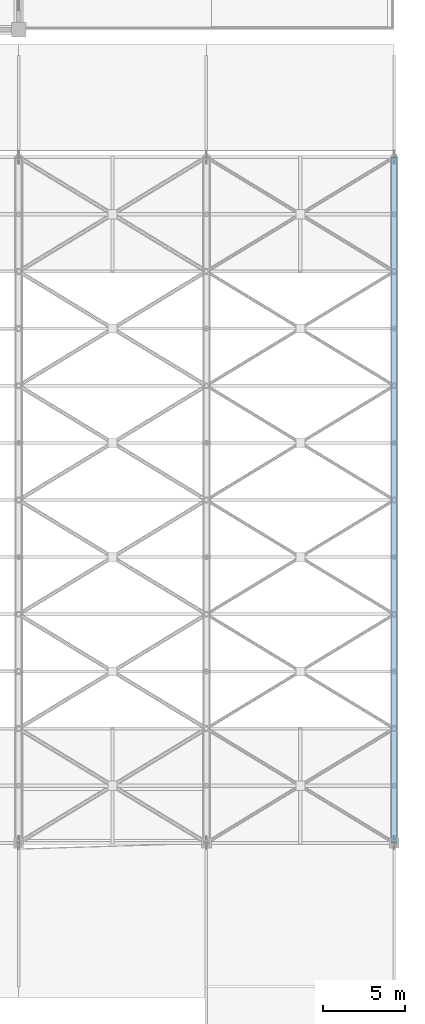
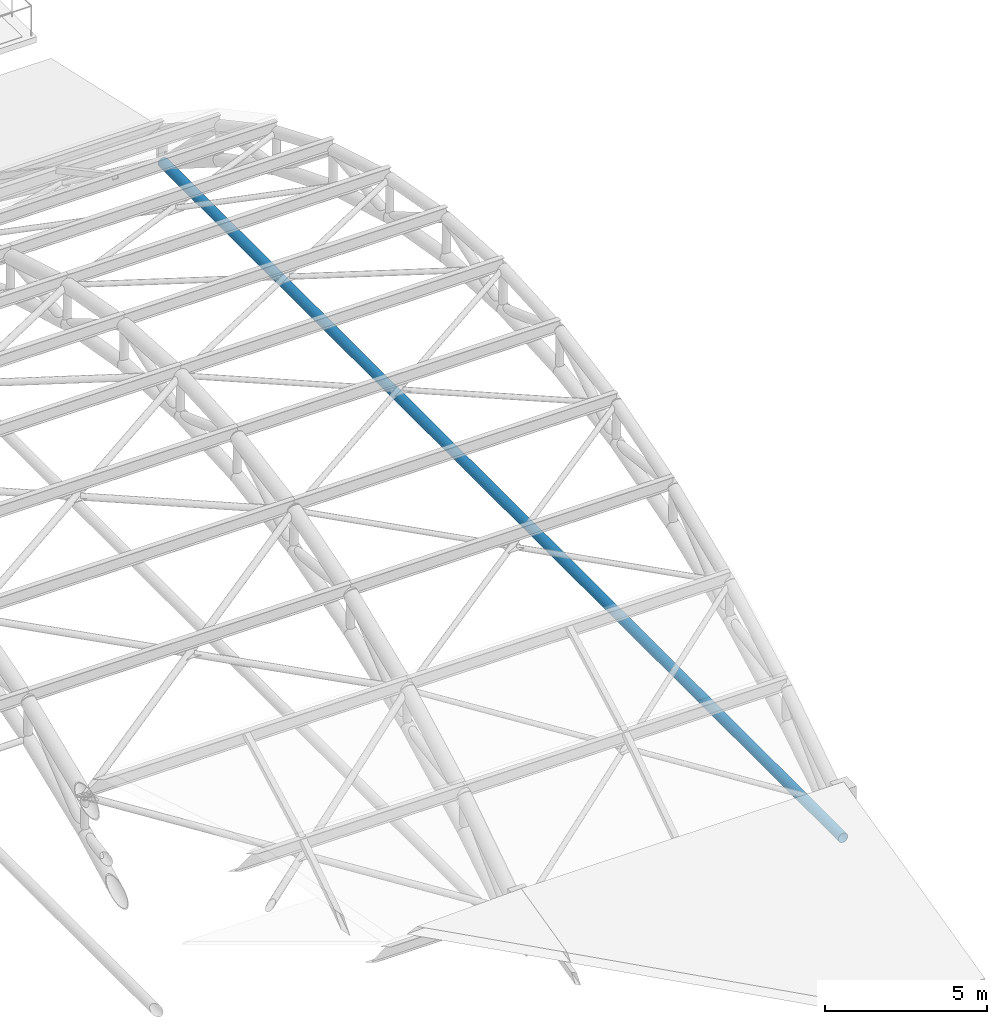
# One storey, part 109 of 154: 1 member.
"""IFC4 building model written with IfcOpenShell, lengths in metres."""

from ifc_helpers import new_model, si_unit, direction, frame, origin, origin_2d, place, context, subcontext, project, spatial, hollow_circle, extrude, material, material_profile, profile_set, type_object, element, save


model = new_model("IFC4")

# Units and contexts
model_context = context("Model", 3, precision=1e-05, world=origin(), true_north=direction((0.0, 1.0)))
body_context = subcontext(model_context, "Body", "Model", "MODEL_VIEW")
ifc_project = project(units=[si_unit("LENGTHUNIT", "METRE"), si_unit("AREAUNIT", "SQUARE_METRE"), si_unit("VOLUMEUNIT", "CUBIC_METRE"), si_unit("PLANEANGLEUNIT", "RADIAN"), si_unit("MASSUNIT", "GRAM", prefix="KILO")], contexts=[model_context])

# Site, building, storey
site_placement = place(None, origin())
site = spatial("IfcSite", under=ifc_project, at=site_placement, CompositionType="ELEMENT")
building_placement = place(site_placement, origin())
building = spatial("IfcBuilding", under=site, at=building_placement, Name="Ologun Quay Terminus", CompositionType="ELEMENT")
storey_placement = place(building_placement, frame((0.0, 0.0, 13.800048828125)))
storey = spatial("IfcBuildingStorey", under=building, at=storey_placement, Name="L03", CompositionType="ELEMENT", Elevation=13.800048828125)

# Member
ifc_material = material(Name="Steel S355", Category="steel")
ifc_material_profile = material_profile(ifc_material, hollow_circle(Radius=0.177734375, WallThickness=0.012451171875, at=origin_2d()), Name="CHS 355.6x12.5")
ifc_profile_set = profile_set([ifc_material_profile], Name="Steel S355")
member_type = type_object("IfcMemberType", Name="Arch Horizontal Tie Chord CHS355", PredefinedType="CHORD", material=ifc_profile_set)
member_placement = place(storey_placement, frame((184.0, 36.0, 0.0), z_axis=(0.0, 1.0, 0.0), x_axis=(-1.0, 0.0, 0.0)))
element("IfcMember", 1, at=member_placement, inside=storey, type_object=member_type, Name="AT1 Arch Tie Chord Grid 17", PredefinedType="CHORD", context=body_context, shape_type="SweptSolid", body=[
    extrude(hollow_circle(Radius=0.177734375, WallThickness=0.012451171875, at=origin_2d()), origin(), (0.0, 0.0, 1.0), 42.0),
])

save(model, "model.ifc")
